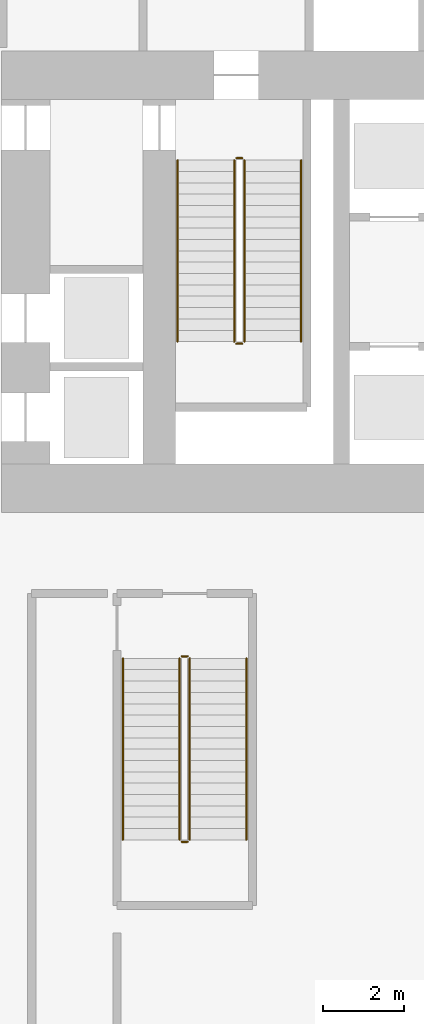
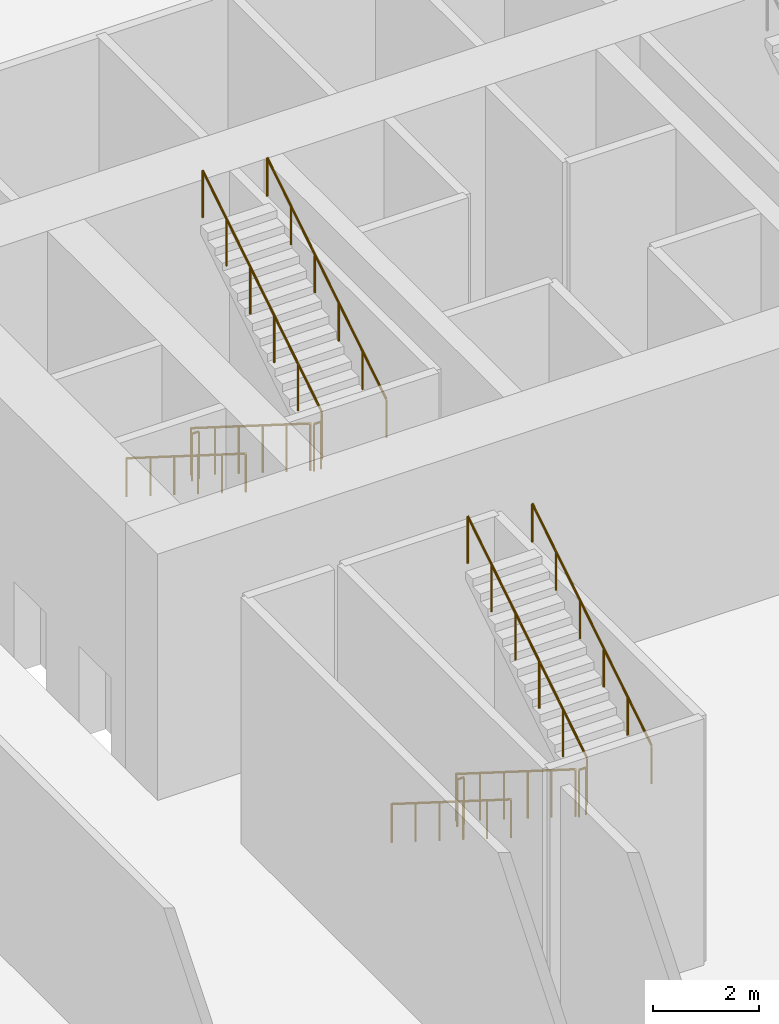
# One storey, part 21 of 25: 12 railings.
"""IFC4 building model written with IfcOpenShell, lengths in metres."""

from ifc_helpers import new_model, si_unit, direction, frame, origin, origin_2d, place, context, subcontext, project, spatial, circle, extrude, material, type_object, element, save


model = new_model("IFC4")

# Units and contexts
model_context = context("Model", 3, precision=1e-05, world=origin(), true_north=direction((0.0, 1.0)))
body_context = subcontext(model_context, "Body", "Model", "MODEL_VIEW")
ifc_project = project(units=[si_unit("LENGTHUNIT", "METRE"), si_unit("AREAUNIT", "SQUARE_METRE"), si_unit("VOLUMEUNIT", "CUBIC_METRE"), si_unit("PLANEANGLEUNIT", "RADIAN"), si_unit("MASSUNIT", "GRAM", prefix="KILO")], contexts=[model_context])

# Site, building, storey
site_placement = place(None, origin())
site = spatial("IfcSite", under=ifc_project, at=site_placement, CompositionType="ELEMENT")
building_placement = place(site_placement, origin())
building = spatial("IfcBuilding", under=site, at=building_placement, Name="Ostrander Bayou Hotel Tower", CompositionType="ELEMENT")
storey_placement = place(building_placement, origin())
storey = spatial("IfcBuildingStorey", under=building, at=storey_placement, Name="L00", CompositionType="ELEMENT", Elevation=0.0)

# Railings
ifc_material_1 = material(Name="Steel ASTM A500 Gr C", Category="steel")
railing_type_1 = type_object("IfcRailingType", Name="GR1 stair guard 1100 mm steel", PredefinedType="GUARDRAIL", material=ifc_material_1)
railing_1_placement = place(storey_placement, frame((-6.25, 7.0, 0.176513671875)))
element("IfcRailing", 1, at=railing_1_placement, inside=storey, type_object=railing_type_1, Name="L00 STA stair guard 1", PredefinedType="GUARDRAIL", context=body_context, shape_type="SweptSolid", body=[
    extrude(circle(Radius=0.02392578125, at=origin_2d()), frame((0.0, 0.0, 1.076171875), z_axis=(0.0, -0.845997938375, 0.533186166611), x_axis=(1.0, 0.0, 0.0)), (0.0, 0.0, 1.0), 5.29541015625),
    extrude(circle(Radius=0.02099609375, at=origin_2d()), origin(), (0.0, 0.0, 1.0), 1.052001953125),
    extrude(circle(Radius=0.02099609375, at=origin_2d()), frame((0.0, -0.89599609375, 0.564697265625)), (0.0, 0.0, 1.0), 1.052001953125),
    extrude(circle(Radius=0.02099609375, at=origin_2d()), frame((0.0, -1.7919921875, 1.12939453125)), (0.0, 0.0, 1.0), 1.052001953125),
    extrude(circle(Radius=0.02099609375, at=origin_2d()), frame((0.0, -2.68798828125, 1.694091796875)), (0.0, 0.0, 1.0), 1.052001953125),
    extrude(circle(Radius=0.02099609375, at=origin_2d()), frame((0.0, -3.583984375, 2.2587890625)), (0.0, 0.0, 1.0), 1.052001953125),
    extrude(circle(Radius=0.02099609375, at=origin_2d()), frame((0.0, -4.47998046875, 2.823486328125)), (0.0, 0.0, 1.0), 1.052001953125),
])
railing_2_placement = place(storey_placement, frame((-6.199951171875, 2.469970703125, 3.0)))
element("IfcRailing", 2, at=railing_2_placement, inside=storey, type_object=railing_type_1, Name="L00 STA stair guard 2", PredefinedType="GUARDRAIL", context=body_context, shape_type="SweptSolid", body=[
    extrude(circle(Radius=0.02392578125, at=origin_2d()), frame((0.0, 0.0, 1.076171875), z_axis=(1.0, 0.0, 0.0), x_axis=(0.0, 1.0, 0.0)), (0.0, 0.0, 1.0), 0.14990234375),
    extrude(circle(Radius=0.02099609375, at=origin_2d()), origin(), (0.0, 0.0, 1.0), 1.052001953125),
    extrude(circle(Radius=0.02099609375, at=origin_2d()), frame((0.14990234375, 0.0, 0.0)), (0.0, 0.0, 1.0), 1.052001953125),
])
railing_3_placement = place(storey_placement, frame((-6.0, 2.52001953125, 3.176513671875)))
element("IfcRailing", 3, at=railing_3_placement, inside=storey, type_object=railing_type_1, Name="L00 STA stair guard 3", PredefinedType="GUARDRAIL", context=body_context, shape_type="SweptSolid", body=[
    extrude(circle(Radius=0.02392578125, at=origin_2d()), frame((0.0, 0.0, 1.076171875), z_axis=(0.0, 0.845997938375, 0.533186166611), x_axis=(-1.0, 0.0, 0.0)), (0.0, 0.0, 1.0), 5.29541015625),
    extrude(circle(Radius=0.02099609375, at=origin_2d()), origin(), (0.0, 0.0, 1.0), 1.052001953125),
    extrude(circle(Radius=0.02099609375, at=origin_2d()), frame((0.0, 0.89599609375, 0.564697265625)), (0.0, 0.0, 1.0), 1.052001953125),
    extrude(circle(Radius=0.02099609375, at=origin_2d()), frame((0.0, 1.7919921875, 1.12939453125)), (0.0, 0.0, 1.0), 1.052001953125),
    extrude(circle(Radius=0.02099609375, at=origin_2d()), frame((0.0, 2.68798828125, 1.694091796875)), (0.0, 0.0, 1.0), 1.052001953125),
    extrude(circle(Radius=0.02099609375, at=origin_2d()), frame((0.0, 3.583984375, 2.2587890625)), (0.0, 0.0, 1.0), 1.052001953125),
    extrude(circle(Radius=0.02099609375, at=origin_2d()), frame((0.0, 4.47998046875, 2.823486328125)), (0.0, 0.0, 1.0), 1.052001953125),
])
railing_4_placement = place(storey_placement, frame((-6.199951171875, 7.050048828125, 0.0)))
element("IfcRailing", 4, at=railing_4_placement, inside=storey, type_object=railing_type_1, Name="L00 STA stair guard 4", PredefinedType="GUARDRAIL", context=body_context, shape_type="SweptSolid", body=[
    extrude(circle(Radius=0.02392578125, at=origin_2d()), frame((0.0, 0.0, 1.076171875), z_axis=(1.0, 0.0, 0.0), x_axis=(0.0, 1.0, 0.0)), (0.0, 0.0, 1.0), 0.14990234375),
    extrude(circle(Radius=0.02099609375, at=origin_2d()), origin(), (0.0, 0.0, 1.0), 1.052001953125),
    extrude(circle(Radius=0.02099609375, at=origin_2d()), frame((0.14990234375, 0.0, 0.0)), (0.0, 0.0, 1.0), 1.052001953125),
])
railing_5_placement = place(storey_placement, frame((-7.60009765625, -5.300048828125, 0.176513671875)))
element("IfcRailing", 5, at=railing_5_placement, inside=storey, type_object=railing_type_1, Name="L00 STD stair guard 1", PredefinedType="GUARDRAIL", context=body_context, shape_type="SweptSolid", body=[
    extrude(circle(Radius=0.02392578125, at=origin_2d()), frame((0.0, 0.0, 1.076171875), z_axis=(0.0, -0.845997938375, 0.533186166611), x_axis=(1.0, 0.0, 0.0)), (0.0, 0.0, 1.0), 5.29541015625),
    extrude(circle(Radius=0.02099609375, at=origin_2d()), origin(), (0.0, 0.0, 1.0), 1.052001953125),
    extrude(circle(Radius=0.02099609375, at=origin_2d()), frame((0.0, -0.89599609375, 0.564697265625)), (0.0, 0.0, 1.0), 1.052001953125),
    extrude(circle(Radius=0.02099609375, at=origin_2d()), frame((0.0, -1.7919921875, 1.12939453125)), (0.0, 0.0, 1.0), 1.052001953125),
    extrude(circle(Radius=0.02099609375, at=origin_2d()), frame((0.0, -2.68798828125, 1.694091796875)), (0.0, 0.0, 1.0), 1.052001953125),
    extrude(circle(Radius=0.02099609375, at=origin_2d()), frame((0.0, -3.583984375, 2.2587890625)), (0.0, 0.0, 1.0), 1.052001953125),
    extrude(circle(Radius=0.02099609375, at=origin_2d()), frame((0.0, -4.47998046875, 2.823486328125)), (0.0, 0.0, 1.0), 1.052001953125),
])
railing_6_placement = place(storey_placement, frame((-7.550048828125, -9.830078125, 3.0)))
element("IfcRailing", 6, at=railing_6_placement, inside=storey, type_object=railing_type_1, Name="L00 STD stair guard 2", PredefinedType="GUARDRAIL", context=body_context, shape_type="SweptSolid", body=[
    extrude(circle(Radius=0.02392578125, at=origin_2d()), frame((0.0, 0.0, 1.076171875), z_axis=(1.0, 0.0, 0.0), x_axis=(0.0, 1.0, 0.0)), (0.0, 0.0, 1.0), 0.150146484375),
    extrude(circle(Radius=0.02099609375, at=origin_2d()), origin(), (0.0, 0.0, 1.0), 1.052001953125),
    extrude(circle(Radius=0.02099609375, at=origin_2d()), frame((0.150146484375, 0.0, 0.0)), (0.0, 0.0, 1.0), 1.052001953125),
])
railing_7_placement = place(storey_placement, frame((-7.35009765625, -9.780029296875, 3.176513671875)))
element("IfcRailing", 7, at=railing_7_placement, inside=storey, type_object=railing_type_1, Name="L00 STD stair guard 3", PredefinedType="GUARDRAIL", context=body_context, shape_type="SweptSolid", body=[
    extrude(circle(Radius=0.02392578125, at=origin_2d()), frame((0.0, 0.0, 1.076171875), z_axis=(0.0, 0.845997938375, 0.533186166611), x_axis=(-1.0, 0.0, 0.0)), (0.0, 0.0, 1.0), 5.29541015625),
    extrude(circle(Radius=0.02099609375, at=origin_2d()), origin(), (0.0, 0.0, 1.0), 1.052001953125),
    extrude(circle(Radius=0.02099609375, at=origin_2d()), frame((0.0, 0.89599609375, 0.564697265625)), (0.0, 0.0, 1.0), 1.052001953125),
    extrude(circle(Radius=0.02099609375, at=origin_2d()), frame((0.0, 1.7919921875, 1.12939453125)), (0.0, 0.0, 1.0), 1.052001953125),
    extrude(circle(Radius=0.02099609375, at=origin_2d()), frame((0.0, 2.68798828125, 1.694091796875)), (0.0, 0.0, 1.0), 1.052001953125),
    extrude(circle(Radius=0.02099609375, at=origin_2d()), frame((0.0, 3.583984375, 2.2587890625)), (0.0, 0.0, 1.0), 1.052001953125),
    extrude(circle(Radius=0.02099609375, at=origin_2d()), frame((0.0, 4.47998046875, 2.823486328125)), (0.0, 0.0, 1.0), 1.052001953125),
])
railing_8_placement = place(storey_placement, frame((-7.550048828125, -5.25, 0.0)))
element("IfcRailing", 8, at=railing_8_placement, inside=storey, type_object=railing_type_1, Name="L00 STD stair guard 4", PredefinedType="GUARDRAIL", context=body_context, shape_type="SweptSolid", body=[
    extrude(circle(Radius=0.02392578125, at=origin_2d()), frame((0.0, 0.0, 1.076171875), z_axis=(1.0, 0.0, 0.0), x_axis=(0.0, 1.0, 0.0)), (0.0, 0.0, 1.0), 0.150146484375),
    extrude(circle(Radius=0.02099609375, at=origin_2d()), origin(), (0.0, 0.0, 1.0), 1.052001953125),
    extrude(circle(Radius=0.02099609375, at=origin_2d()), frame((0.150146484375, 0.0, 0.0)), (0.0, 0.0, 1.0), 1.052001953125),
])
ifc_material_2 = material(Name="Steel ASTM A500 Gr C", Category="steel")
railing_type_2 = type_object("IfcRailingType", Name="HR1 stair handrail 900 mm steel", PredefinedType="HANDRAIL", material=ifc_material_2)
railing_9_placement = place(storey_placement, frame((-7.64990234375, 7.0, 0.176513671875)))
element("IfcRailing", 9, at=railing_9_placement, inside=storey, type_object=railing_type_2, Name="L00 STA stair handrail 1", PredefinedType="HANDRAIL", context=body_context, shape_type="SweptSolid", body=[
    extrude(circle(Radius=0.02392578125, at=origin_2d()), frame((0.0, 0.0, 0.8759765625), z_axis=(0.0, -0.845997938375, 0.533186166611), x_axis=(1.0, 0.0, 0.0)), (0.0, 0.0, 1.0), 5.29541015625),
    extrude(circle(Radius=0.02099609375, at=origin_2d()), origin(), (0.0, 0.0, 1.0), 0.851806640625),
    extrude(circle(Radius=0.02099609375, at=origin_2d()), frame((0.0, -0.89599609375, 0.564697265625)), (0.0, 0.0, 1.0), 0.851806640625),
    extrude(circle(Radius=0.02099609375, at=origin_2d()), frame((0.0, -1.7919921875, 1.12939453125)), (0.0, 0.0, 1.0), 0.851806640625),
    extrude(circle(Radius=0.02099609375, at=origin_2d()), frame((0.0, -2.68798828125, 1.694091796875)), (0.0, 0.0, 1.0), 0.851806640625),
    extrude(circle(Radius=0.02099609375, at=origin_2d()), frame((0.0, -3.583984375, 2.2587890625)), (0.0, 0.0, 1.0), 0.851806640625),
    extrude(circle(Radius=0.02099609375, at=origin_2d()), frame((0.0, -4.47998046875, 2.823486328125)), (0.0, 0.0, 1.0), 0.851806640625),
])
railing_10_placement = place(storey_placement, frame((-4.60009765625, 2.52001953125, 3.176513671875)))
element("IfcRailing", 10, at=railing_10_placement, inside=storey, type_object=railing_type_2, Name="L00 STA stair handrail 2", PredefinedType="HANDRAIL", context=body_context, shape_type="SweptSolid", body=[
    extrude(circle(Radius=0.02392578125, at=origin_2d()), frame((0.0, 0.0, 0.8759765625), z_axis=(0.0, 0.845997938375, 0.533186166611), x_axis=(-1.0, 0.0, 0.0)), (0.0, 0.0, 1.0), 5.29541015625),
    extrude(circle(Radius=0.02099609375, at=origin_2d()), origin(), (0.0, 0.0, 1.0), 0.851806640625),
    extrude(circle(Radius=0.02099609375, at=origin_2d()), frame((0.0, 0.89599609375, 0.564697265625)), (0.0, 0.0, 1.0), 0.851806640625),
    extrude(circle(Radius=0.02099609375, at=origin_2d()), frame((0.0, 1.7919921875, 1.12939453125)), (0.0, 0.0, 1.0), 0.851806640625),
    extrude(circle(Radius=0.02099609375, at=origin_2d()), frame((0.0, 2.68798828125, 1.694091796875)), (0.0, 0.0, 1.0), 0.851806640625),
    extrude(circle(Radius=0.02099609375, at=origin_2d()), frame((0.0, 3.583984375, 2.2587890625)), (0.0, 0.0, 1.0), 0.851806640625),
    extrude(circle(Radius=0.02099609375, at=origin_2d()), frame((0.0, 4.47998046875, 2.823486328125)), (0.0, 0.0, 1.0), 0.851806640625),
])
railing_11_placement = place(storey_placement, frame((-9.0, -5.300048828125, 0.176513671875)))
element("IfcRailing", 11, at=railing_11_placement, inside=storey, type_object=railing_type_2, Name="L00 STD stair handrail 1", PredefinedType="HANDRAIL", context=body_context, shape_type="SweptSolid", body=[
    extrude(circle(Radius=0.02392578125, at=origin_2d()), frame((0.0, 0.0, 0.8759765625), z_axis=(0.0, -0.845997938375, 0.533186166611), x_axis=(1.0, 0.0, 0.0)), (0.0, 0.0, 1.0), 5.29541015625),
    extrude(circle(Radius=0.02099609375, at=origin_2d()), origin(), (0.0, 0.0, 1.0), 0.851806640625),
    extrude(circle(Radius=0.02099609375, at=origin_2d()), frame((0.0, -0.89599609375, 0.564697265625)), (0.0, 0.0, 1.0), 0.851806640625),
    extrude(circle(Radius=0.02099609375, at=origin_2d()), frame((0.0, -1.7919921875, 1.12939453125)), (0.0, 0.0, 1.0), 0.851806640625),
    extrude(circle(Radius=0.02099609375, at=origin_2d()), frame((0.0, -2.68798828125, 1.694091796875)), (0.0, 0.0, 1.0), 0.851806640625),
    extrude(circle(Radius=0.02099609375, at=origin_2d()), frame((0.0, -3.583984375, 2.2587890625)), (0.0, 0.0, 1.0), 0.851806640625),
    extrude(circle(Radius=0.02099609375, at=origin_2d()), frame((0.0, -4.47998046875, 2.823486328125)), (0.0, 0.0, 1.0), 0.851806640625),
])
railing_12_placement = place(storey_placement, frame((-5.949951171875, -9.780029296875, 3.176513671875)))
element("IfcRailing", 12, at=railing_12_placement, inside=storey, type_object=railing_type_2, Name="L00 STD stair handrail 2", PredefinedType="HANDRAIL", context=body_context, shape_type="SweptSolid", body=[
    extrude(circle(Radius=0.02392578125, at=origin_2d()), frame((0.0, 0.0, 0.8759765625), z_axis=(0.0, 0.845997938375, 0.533186166611), x_axis=(-1.0, 0.0, 0.0)), (0.0, 0.0, 1.0), 5.29541015625),
    extrude(circle(Radius=0.02099609375, at=origin_2d()), origin(), (0.0, 0.0, 1.0), 0.851806640625),
    extrude(circle(Radius=0.02099609375, at=origin_2d()), frame((0.0, 0.89599609375, 0.564697265625)), (0.0, 0.0, 1.0), 0.851806640625),
    extrude(circle(Radius=0.02099609375, at=origin_2d()), frame((0.0, 1.7919921875, 1.12939453125)), (0.0, 0.0, 1.0), 0.851806640625),
    extrude(circle(Radius=0.02099609375, at=origin_2d()), frame((0.0, 2.68798828125, 1.694091796875)), (0.0, 0.0, 1.0), 0.851806640625),
    extrude(circle(Radius=0.02099609375, at=origin_2d()), frame((0.0, 3.583984375, 2.2587890625)), (0.0, 0.0, 1.0), 0.851806640625),
    extrude(circle(Radius=0.02099609375, at=origin_2d()), frame((0.0, 4.47998046875, 2.823486328125)), (0.0, 0.0, 1.0), 0.851806640625),
])

save(model, "model.ifc")
